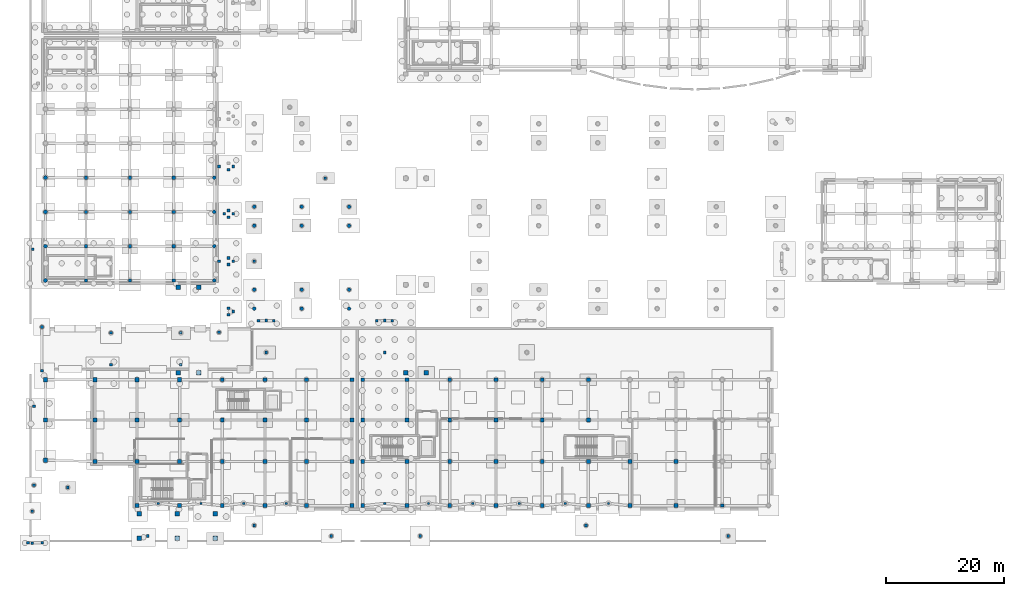
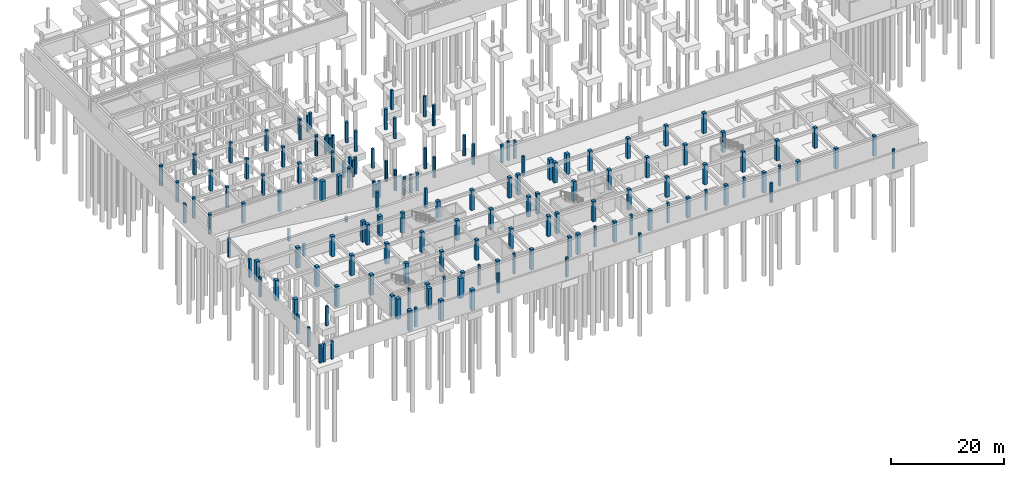
# One storey, part 6 of 22: 158 columns.
"""IFC4 building model written with IfcOpenShell, lengths in metres."""

from ifc_helpers import new_model, si_unit, direction, frame, origin, origin_2d, place, context, subcontext, project, spatial, rectangle, circle, extrude, material, material_profile, profile_set, type_object, element, save


model = new_model("IFC4")

# Units and contexts
model_context = context("Model", 3, precision=1e-05, world=origin(), true_north=direction((0.0, 1.0)))
body_context = subcontext(model_context, "Body", "Model", "MODEL_VIEW")
ifc_project = project(units=[si_unit("LENGTHUNIT", "METRE"), si_unit("AREAUNIT", "SQUARE_METRE"), si_unit("VOLUMEUNIT", "CUBIC_METRE"), si_unit("PLANEANGLEUNIT", "RADIAN"), si_unit("MASSUNIT", "GRAM", prefix="KILO")], contexts=[model_context])

# Site, building, storey
site_placement = place(None, origin())
site = spatial("IfcSite", under=ifc_project, at=site_placement, CompositionType="ELEMENT")
building_placement = place(site_placement, origin())
building = spatial("IfcBuilding", under=site, at=building_placement, Name="Valcora Specialist Clinic", CompositionType="ELEMENT")
storey_placement = place(building_placement, frame((0.0, 0.0, -4.419921875)))
storey = spatial("IfcBuildingStorey", under=building, at=storey_placement, Name="B1", CompositionType="ELEMENT", Elevation=-4.419921875)

# Columns
ifc_material = material(Name="Concrete C40/50", Category="concrete")
ifc_material_profile_1 = material_profile(ifc_material, rectangle(XDim=0.75, YDim=0.75, at=origin_2d()), Name="RC-PED-750X750")
ifc_profile_set_1 = profile_set([ifc_material_profile_1], Name="Concrete C40/50")
column_type_1 = type_object("IfcColumnType", Name="TY-COL-PED750", PredefinedType="COLUMN", material=ifc_profile_set_1)
for number, where, z_axis, x_axis, name in (
    (1, (0.75, 8.39990234375, 0.0), (0.0, 0.0, 1.0), (1.0, 0.0, 0.0), "Column COL-B1-0536"),
    (2, (0.75, 15.199951171875, 0.0), (0.0, 0.0, 1.0), (1.0, 0.0, 0.0), "Column COL-B1-0543"),
    (3, (0.75, 22.0, 0.0), (0.0, 0.0, 1.0), (1.0, 0.0, 0.0), "Column COL-B1-0550"),
    (4, (23.199951171875, 23.199951171875, 0.0), (0.0, 0.0, 1.0), (1.0, 0.0, 0.0), "Column COL-B1-0947"),
    (5, (23.199951171875, 37.60009765625, 0.0), (0.0, 0.0, 1.0), (1.0, 0.0, 0.0), "Column COL-B1-0950"),
    (6, (26.60009765625, 23.199951171875, 0.0), (0.0, 0.0, 1.0), (1.0, 0.0, 0.0), "Column COL-B1-0953"),
    (7, (26.60009765625, 37.60009765625, 0.0), (0.0, 0.0, 1.0), (1.0, 0.0, 0.0), "Column COL-B1-0956"),
    (8, (61.60009765625, 23.199951171875, 0.0), (0.0, 0.0, 1.0), (1.0, 0.0, 0.0), "Column COL-B1-0959"),
    (9, (65.0, 23.199951171875, 0.0), (0.0, 0.0, 1.0), (1.0, 0.0, 0.0), "Column COL-B1-0983"),
    (10, (16.60009765625, -4.800048828125, 0.0), (0.0, 0.0, 1.0), (1.0, 0.0, 0.0), "Column COL-B1-1007"),
    (11, (16.60009765625, -0.60009765625, 0.0), (0.0, 0.0, 1.0), (1.0, 0.0, 0.0), "Column COL-B1-1009"),
    (12, (23.0, -4.800048828125, 0.0), (0.0, 0.0, 1.0), (1.0, 0.0, 0.0), "Column COL-B1-1011"),
    (13, (23.0, -0.60009765625, 0.0), (0.0, 0.0, 1.0), (1.0, 0.0, 0.0), "Column COL-B1-1013"),
    (14, (29.39990234375, -4.800048828125, 0.0), (0.0, 0.0, 1.0), (1.0, 0.0, 0.0), "Column COL-B1-1015"),
    (15, (29.39990234375, -0.60009765625, 0.0), (0.0, 0.0, 1.0), (1.0, 0.0, 0.0), "Column COL-B1-1017"),
):
    element("IfcColumn", number, at=place(storey_placement, frame(where, z_axis=z_axis, x_axis=x_axis)), inside=storey, type_object=column_type_1, Name=name, PredefinedType="COLUMN", context=body_context, shape_type="SweptSolid", body=[
        extrude(rectangle(XDim=0.75, YDim=0.75, at=origin_2d()), origin(), (0.0, 0.0, 1.0), 4.419921875),
    ])
ifc_material_profile_2 = material_profile(ifc_material, rectangle(XDim=0.449951171875, YDim=0.449951171875, at=origin_2d()), Name="RC-COL-450X450")
ifc_profile_set_2 = profile_set([ifc_material_profile_2], Name="Concrete C40/50")
column_type_2 = type_object("IfcColumnType", Name="TY-COL-RC450", PredefinedType="COLUMN", material=ifc_profile_set_2)
column_1_placement = place(storey_placement, frame((-1.5, -5.60009765625, 0.0), z_axis=(0.0, 0.0, 1.0), x_axis=(1.0, 0.0, 0.0)))
element("IfcColumn", 16, at=column_1_placement, inside=storey, type_object=column_type_2, Name="Column COL-B1-1023", PredefinedType="COLUMN", context=body_context, shape_type="SweptSolid", body=[
    extrude(rectangle(XDim=0.449951171875, YDim=0.449951171875, at=origin_2d()), origin(), (0.0, 0.0, 1.0), 3.89990234375),
])
column_2_placement = place(storey_placement, frame((-1.5, -0.199951171875, 0.0), z_axis=(0.0, 0.0, 1.0), x_axis=(1.0, 0.0, 0.0)))
element("IfcColumn", 17, at=column_2_placement, inside=storey, type_object=column_type_2, Name="Column COL-B1-1024", PredefinedType="COLUMN", context=body_context, shape_type="SweptSolid", body=[
    extrude(rectangle(XDim=0.449951171875, YDim=0.449951171875, at=origin_2d()), origin(), (0.0, 0.0, 1.0), 4.199951171875),
])
column_3_placement = place(storey_placement, frame((38.0, 32.0, 0.0), z_axis=(0.0, 0.0, 1.0), x_axis=(1.0, 0.0, 0.0)))
element("IfcColumn", 18, at=column_3_placement, inside=storey, type_object=column_type_2, Name="Column COL-B1-1025", PredefinedType="COLUMN", context=body_context, shape_type="SweptSolid", body=[
    extrude(rectangle(XDim=0.449951171875, YDim=0.449951171875, at=origin_2d()), origin(), (0.0, 0.0, 1.0), 3.89990234375),
])
for number, where, z_axis, x_axis, name in (
    (19, (38.0, 26.60009765625, 0.0), (0.0, 0.0, 1.0), (1.0, 0.0, 0.0), "Column COL-B1-1026"),
    (20, (58.0, 32.0, 0.0), (0.0, 0.0, 1.0), (1.0, 0.0, 0.0), "Column COL-B1-1027"),
    (21, (58.0, 26.60009765625, 0.0), (0.0, 0.0, 1.0), (1.0, 0.0, 0.0), "Column COL-B1-1028"),
    (22, (30.050048828125, 30.0, 0.0), (0.0, 0.0, 1.0), (1.0, 0.0, 0.0), "Column COL-B1-1033"),
):
    element("IfcColumn", number, at=place(storey_placement, frame(where, z_axis=z_axis, x_axis=x_axis)), inside=storey, type_object=column_type_2, Name=name, PredefinedType="COLUMN", context=body_context, shape_type="SweptSolid", body=[
        extrude(rectangle(XDim=0.449951171875, YDim=0.449951171875, at=origin_2d()), origin(), (0.0, 0.0, 1.0), 4.199951171875),
    ])
for number, where, z_axis, x_axis, name in (
    (23, (30.050048828125, 42.0, 0.0), (0.0, 0.0, 1.0), (1.0, 0.0, 0.0), "Column COL-B1-1034"),
    (24, (30.949951171875, 50.0, 0.0), (0.0, 0.0, 1.0), (1.0, 0.0, 0.0), "Column COL-B1-1035"),
    (25, (30.050048828125, 58.0, 0.0), (0.0, 0.0, 1.0), (1.0, 0.0, 0.0), "Column COL-B1-1036"),
):
    element("IfcColumn", number, at=place(storey_placement, frame(where, z_axis=z_axis, x_axis=x_axis)), inside=storey, type_object=column_type_2, Name=name, PredefinedType="COLUMN", context=body_context, shape_type="SweptSolid", body=[
        extrude(rectangle(XDim=0.449951171875, YDim=0.449951171875, at=origin_2d()), origin(), (0.0, 0.0, 1.0), 3.52001953125),
    ])
for number, where, z_axis, x_axis, name in (
    (26, (18.0, -4.39990234375, 0.0), (0.0, 0.0, 1.0), (1.0, 0.0, 0.0), "Foundation support pier COL-APR-B1-001"),
    (27, (36.0, -2.60009765625, 0.0), (0.0, 0.0, 1.0), (1.0, 0.0, 0.0), "Foundation support pier COL-APR-B1-002"),
    (28, (49.0, -4.39990234375, 0.0), (0.0, 0.0, 1.0), (1.0, 0.0, 0.0), "Foundation support pier COL-APR-B1-003"),
    (29, (64.0, -4.39990234375, 0.0), (0.0, 0.0, 1.0), (1.0, 0.0, 0.0), "Foundation support pier COL-APR-B1-004"),
    (30, (92.0, -2.60009765625, 0.0), (0.0, 0.0, 1.0), (1.0, 0.0, 0.0), "Foundation support pier COL-APR-B1-005"),
    (31, (116.0, -4.39990234375, 0.0), (0.0, 0.0, 1.0), (1.0, 0.0, 0.0), "Foundation support pier COL-APR-B1-006"),
    (32, (-1.199951171875, 4.199951171875, 0.0), (0.0, 0.0, 1.0), (1.0, 0.0, 0.0), "Foundation support pier COL-APR-B1-007"),
    (33, (4.5, 3.800048828125, 0.0), (0.0, 0.0, 1.0), (1.0, 0.0, 0.0), "Foundation support pier COL-APR-B1-008"),
    (34, (-1.199951171875, 17.5, 0.0), (0.0, 0.0, 1.0), (1.0, 0.0, 0.0), "Foundation support pier COL-APR-B1-009"),
    (35, (-1.39990234375, 44.0, 0.0), (0.0, 0.0, 1.0), (1.0, 0.0, 0.0), "Foundation support pier COL-APR-B1-010"),
    (36, (36.0, 42.0, 0.0), (0.0, 0.0, 1.0), (1.0, 0.0, 0.0), "Foundation support pier COL-APR-B1-016"),
    (37, (48.0, 56.0, 0.0), (0.0, 0.0, 1.0), (1.0, 0.0, 0.0), "Foundation support pier COL-APR-B1-017"),
):
    element("IfcColumn", number, at=place(storey_placement, frame(where, z_axis=z_axis, x_axis=x_axis)), inside=storey, type_object=column_type_2, Name=name, PredefinedType="COLUMN", context=body_context, shape_type="SweptSolid", body=[
        extrude(rectangle(XDim=0.449951171875, YDim=0.449951171875, at=origin_2d()), origin(), (0.0, 0.0, 1.0), 4.199951171875),
    ])
for number, where, z_axis, x_axis, name in (
    (38, (11.800048828125, 24.5, 0.0), (0.0, 0.0, 1.0), (1.0, 0.0, 0.0), "Foundation support pier COL-APR-B1-023"),
    (39, (11.800048828125, 29.89990234375, 0.0), (0.0, 0.0, 1.0), (1.0, 0.0, 0.0), "Foundation support pier COL-APR-B1-024"),
):
    element("IfcColumn", number, at=place(storey_placement, frame(where, z_axis=z_axis, x_axis=x_axis)), inside=storey, type_object=column_type_2, Name=name, PredefinedType="COLUMN", context=body_context, shape_type="SweptSolid", body=[
        extrude(rectangle(XDim=0.449951171875, YDim=0.449951171875, at=origin_2d()), origin(), (0.0, 0.0, 1.0), 2.625),
    ])
for number, where, z_axis, x_axis, name in (
    (40, (23.60009765625, 24.5, 0.0), (0.0, 0.0, 1.0), (1.0, 0.0, 0.0), "Foundation support pier COL-APR-B1-025"),
    (41, (23.60009765625, 29.89990234375, 0.0), (0.0, 0.0, 1.0), (1.0, 0.0, 0.0), "Foundation support pier COL-APR-B1-026"),
):
    element("IfcColumn", number, at=place(storey_placement, frame(where, z_axis=z_axis, x_axis=x_axis)), inside=storey, type_object=column_type_2, Name=name, PredefinedType="COLUMN", context=body_context, shape_type="SweptSolid", body=[
        extrude(rectangle(XDim=0.449951171875, YDim=0.449951171875, at=origin_2d()), origin(), (0.0, 0.0, 1.0), 1.14990234375),
    ])
for number, where, z_axis, x_axis, name in (
    (42, (0.14990234375, 23.5, 0.0), (0.0, 0.0, 1.0), (1.0, 0.0, 0.0), "Foundation support pier COL-APR-B1-027"),
    (43, (0.14990234375, 30.89990234375, 0.0), (0.0, 0.0, 1.0), (1.0, 0.0, 0.0), "Foundation support pier COL-APR-B1-028"),
):
    element("IfcColumn", number, at=place(storey_placement, frame(where, z_axis=z_axis, x_axis=x_axis)), inside=storey, type_object=column_type_2, Name=name, PredefinedType="COLUMN", context=body_context, shape_type="SweptSolid", body=[
        extrude(rectangle(XDim=0.449951171875, YDim=0.449951171875, at=origin_2d()), origin(), (0.0, 0.0, 1.0), 4.099853515625),
    ])
for number, where, z_axis, x_axis, name in (
    (44, (-2.199951171875, -5.550048828125, 0.0), (0.0, 0.0, 1.0), (1.0, 0.0, 0.0), "Foundation support pier COL-APR-B1-029"),
    (45, (0.199951171875, -5.550048828125, 0.0), (0.0, 0.0, 1.0), (1.0, 0.0, 0.0), "Foundation support pier COL-APR-B1-030"),
    (46, (36.699951171875, 31.949951171875, 0.0), (0.0, 0.0, 1.0), (1.0, 0.0, 0.0), "Foundation support pier COL-APR-B1-031"),
    (47, (39.300048828125, 31.949951171875, 0.0), (0.0, 0.0, 1.0), (1.0, 0.0, 0.0), "Foundation support pier COL-APR-B1-032"),
    (48, (56.699951171875, 31.949951171875, 0.0), (0.0, 0.0, 1.0), (1.0, 0.0, 0.0), "Foundation support pier COL-APR-B1-033"),
    (49, (59.300048828125, 31.949951171875, 0.0), (0.0, 0.0, 1.0), (1.0, 0.0, 0.0), "Foundation support pier COL-APR-B1-034"),
):
    element("IfcColumn", number, at=place(storey_placement, frame(where, z_axis=z_axis, x_axis=x_axis)), inside=storey, type_object=column_type_2, Name=name, PredefinedType="COLUMN", context=body_context, shape_type="SweptSolid", body=[
        extrude(rectangle(XDim=0.449951171875, YDim=0.449951171875, at=origin_2d()), origin(), (0.0, 0.0, 1.0), 3.89990234375),
    ])
for number, where, z_axis, x_axis, name in (
    (50, (31.64990234375, 32.949951171875, 0.0), (0.0, 0.0, 1.0), (1.0, 0.0, 0.0), "Foundation support pier COL-APR-B1-039"),
    (51, (31.64990234375, 34.050048828125, 0.0), (0.0, 0.0, 1.0), (1.0, 0.0, 0.0), "Foundation support pier COL-APR-B1-040"),
    (52, (32.449951171875, 33.5, 0.0), (0.0, 0.0, 1.0), (1.0, 0.0, 0.0), "Foundation support pier COL-APR-B1-041"),
    (53, (31.64990234375, 41.449951171875, 0.0), (0.0, 0.0, 1.0), (1.0, 0.0, 0.0), "Foundation support pier COL-APR-B1-042"),
    (54, (31.64990234375, 42.550048828125, 0.0), (0.0, 0.0, 1.0), (1.0, 0.0, 0.0), "Foundation support pier COL-APR-B1-043"),
    (55, (32.449951171875, 42.0, 0.0), (0.0, 0.0, 1.0), (1.0, 0.0, 0.0), "Foundation support pier COL-APR-B1-044"),
    (56, (31.64990234375, 49.449951171875, 0.0), (0.0, 0.0, 1.0), (1.0, 0.0, 0.0), "Foundation support pier COL-APR-B1-045"),
    (57, (31.64990234375, 50.550048828125, 0.0), (0.0, 0.0, 1.0), (1.0, 0.0, 0.0), "Foundation support pier COL-APR-B1-046"),
    (58, (32.449951171875, 50.0, 0.0), (0.0, 0.0, 1.0), (1.0, 0.0, 0.0), "Foundation support pier COL-APR-B1-047"),
    (59, (31.64990234375, 57.449951171875, 0.0), (0.0, 0.0, 1.0), (1.0, 0.0, 0.0), "Foundation support pier COL-APR-B1-048"),
    (60, (32.449951171875, 58.0, 0.0), (0.0, 0.0, 1.0), (1.0, 0.0, 0.0), "Foundation support pier COL-APR-B1-050"),
):
    element("IfcColumn", number, at=place(storey_placement, frame(where, z_axis=z_axis, x_axis=x_axis)), inside=storey, type_object=column_type_2, Name=name, PredefinedType="COLUMN", context=body_context, shape_type="SweptSolid", body=[
        extrude(rectangle(XDim=0.449951171875, YDim=0.449951171875, at=origin_2d()), origin(), (0.0, 0.0, 1.0), 3.52001953125),
    ])
ifc_material_profile_3 = material_profile(ifc_material, rectangle(XDim=0.550048828125, YDim=0.550048828125, at=origin_2d()), Name="RC-COL-550X550")
ifc_profile_set_3 = profile_set([ifc_material_profile_3], Name="Concrete C40/50")
column_type_3 = type_object("IfcColumnType", Name="TY-COL-RC550", PredefinedType="COLUMN", material=ifc_profile_set_3)
for number, where, z_axis, x_axis, name in (
    (61, (7.60009765625, 38.75, 0.0), (0.0, 0.0, 1.0), (1.0, 0.0, 0.0), "Column COL-B1-0033"),
    (62, (7.60009765625, 44.535888671875, 0.0), (0.0, 0.0, 1.0), (1.0, 0.0, 0.0), "Column COL-B1-0036"),
    (63, (7.60009765625, 50.321044921875, 0.0), (0.0, 0.0, 1.0), (1.0, 0.0, 0.0), "Column COL-B1-0039"),
    (64, (7.60009765625, 56.10693359375, 0.0), (0.0, 0.0, 1.0), (1.0, 0.0, 0.0), "Column COL-B1-0042"),
    (65, (15.0, 38.75, 0.0), (0.0, 0.0, 1.0), (1.0, 0.0, 0.0), "Column COL-B1-0057"),
    (66, (15.0, 44.535888671875, 0.0), (0.0, 0.0, 1.0), (1.0, 0.0, 0.0), "Column COL-B1-0060"),
    (67, (15.0, 50.321044921875, 0.0), (0.0, 0.0, 1.0), (1.0, 0.0, 0.0), "Column COL-B1-0063"),
    (68, (15.0, 56.10693359375, 0.0), (0.0, 0.0, 1.0), (1.0, 0.0, 0.0), "Column COL-B1-0065"),
    (69, (22.39990234375, 38.75, 0.0), (0.0, 0.0, 1.0), (1.0, 0.0, 0.0), "Column COL-B1-0077"),
    (70, (22.39990234375, 44.535888671875, 0.0), (0.0, 0.0, 1.0), (1.0, 0.0, 0.0), "Column COL-B1-0080"),
    (71, (22.39990234375, 50.321044921875, 0.0), (0.0, 0.0, 1.0), (1.0, 0.0, 0.0), "Column COL-B1-0083"),
    (72, (22.39990234375, 56.10693359375, 0.0), (0.0, 0.0, 1.0), (1.0, 0.0, 0.0), "Column COL-B1-0086"),
    (73, (115.0, 0.75, 0.0), (0.0, 0.0, 1.0), (1.0, 0.0, 0.0), "Column COL-B1-0919"),
):
    element("IfcColumn", number, at=place(storey_placement, frame(where, z_axis=z_axis, x_axis=x_axis)), inside=storey, type_object=column_type_3, Name=name, PredefinedType="COLUMN", context=body_context, shape_type="SweptSolid", body=[
        extrude(rectangle(XDim=0.550048828125, YDim=0.550048828125, at=origin_2d()), origin(), (0.0, 0.0, 1.0), 4.419921875),
    ])
ifc_material_profile_4 = material_profile(ifc_material, rectangle(XDim=0.64990234375, YDim=0.64990234375, at=origin_2d()), Name="RC-COL-650X650")
ifc_profile_set_4 = profile_set([ifc_material_profile_4], Name="Concrete C40/50")
column_type_4 = type_object("IfcColumnType", Name="TY-COL-RC650", PredefinedType="COLUMN", material=ifc_profile_set_4)
for number, where, z_axis, x_axis, name in (
    (74, (30.60009765625, 0.75, 0.0), (0.0, 0.0, 1.0), (1.0, 0.0, 0.0), "Column COL-B1-0634"),
    (75, (30.60009765625, 8.199951171875, 0.0), (0.0, 0.0, 1.0), (1.0, 0.0, 0.0), "Column COL-B1-0641"),
    (76, (30.60009765625, 15.199951171875, 0.0), (0.0, 0.0, 1.0), (1.0, 0.0, 0.0), "Column COL-B1-0648"),
    (77, (30.60009765625, 22.0, 0.0), (0.0, 0.0, 1.0), (1.0, 0.0, 0.0), "Column COL-B1-0655"),
    (78, (37.800048828125, 0.75, 0.0), (0.0, 0.0, 1.0), (1.0, 0.0, 0.0), "Column COL-B1-0662"),
    (79, (37.800048828125, 8.199951171875, 0.0), (0.0, 0.0, 1.0), (1.0, 0.0, 0.0), "Column COL-B1-0669"),
    (80, (37.800048828125, 15.199951171875, 0.0), (0.0, 0.0, 1.0), (1.0, 0.0, 0.0), "Column COL-B1-0676"),
    (81, (37.800048828125, 22.0, 0.0), (0.0, 0.0, 1.0), (1.0, 0.0, 0.0), "Column COL-B1-0683"),
    (82, (44.800048828125, 0.75, 0.0), (0.0, 0.0, 1.0), (1.0, 0.0, 0.0), "Column COL-B1-0690"),
    (83, (44.800048828125, 8.199951171875, 0.0), (0.0, 0.0, 1.0), (1.0, 0.0, 0.0), "Column COL-B1-0697"),
    (84, (44.800048828125, 15.199951171875, 0.0), (0.0, 0.0, 1.0), (1.0, 0.0, 0.0), "Column COL-B1-0704"),
    (85, (44.800048828125, 22.0, 0.0), (0.0, 0.0, 1.0), (1.0, 0.0, 0.0), "Column COL-B1-0711"),
    (86, (52.5, 0.75, 0.0), (0.0, 0.0, 1.0), (1.0, 0.0, 0.0), "Column COL-B1-0718"),
    (87, (52.5, 8.199951171875, 0.0), (0.0, 0.0, 1.0), (1.0, 0.0, 0.0), "Column COL-B1-0723"),
    (88, (52.5, 15.199951171875, 0.0), (0.0, 0.0, 1.0), (1.0, 0.0, 0.0), "Column COL-B1-0728"),
    (89, (52.5, 22.0, 0.0), (0.0, 0.0, 1.0), (1.0, 0.0, 0.0), "Column COL-B1-0733"),
    (90, (54.300048828125, 0.75, 0.0), (0.0, 0.0, 1.0), (1.0, 0.0, 0.0), "Column COL-B1-0738"),
    (91, (54.300048828125, 8.199951171875, 0.0), (0.0, 0.0, 1.0), (1.0, 0.0, 0.0), "Column COL-B1-0743"),
    (92, (54.300048828125, 15.199951171875, 0.0), (0.0, 0.0, 1.0), (1.0, 0.0, 0.0), "Column COL-B1-0749"),
    (93, (54.300048828125, 22.0, 0.0), (0.0, 0.0, 1.0), (1.0, 0.0, 0.0), "Column COL-B1-0755"),
    (94, (61.800048828125, 0.75, 0.0), (0.0, 0.0, 1.0), (1.0, 0.0, 0.0), "Column COL-B1-0761"),
    (95, (61.800048828125, 8.199951171875, 0.0), (0.0, 0.0, 1.0), (1.0, 0.0, 0.0), "Column COL-B1-0766"),
    (96, (61.800048828125, 15.199951171875, 0.0), (0.0, 0.0, 1.0), (1.0, 0.0, 0.0), "Column COL-B1-0772"),
    (97, (61.800048828125, 22.0, 0.0), (0.0, 0.0, 1.0), (1.0, 0.0, 0.0), "Column COL-B1-0778"),
    (98, (69.0, 0.75, 0.0), (0.0, 0.0, 1.0), (1.0, 0.0, 0.0), "Column COL-B1-0784"),
    (99, (69.0, 8.199951171875, 0.0), (0.0, 0.0, 1.0), (1.0, 0.0, 0.0), "Column COL-B1-0789"),
    (100, (69.0, 15.199951171875, 0.0), (0.0, 0.0, 1.0), (1.0, 0.0, 0.0), "Column COL-B1-0795"),
    (101, (69.0, 22.0, 0.0), (0.0, 0.0, 1.0), (1.0, 0.0, 0.0), "Column COL-B1-0801"),
    (102, (76.800048828125, 0.75, 0.0), (0.0, 0.0, 1.0), (1.0, 0.0, 0.0), "Column COL-B1-0807"),
    (103, (76.800048828125, 8.199951171875, 0.0), (0.0, 0.0, 1.0), (1.0, 0.0, 0.0), "Column COL-B1-0812"),
    (104, (76.800048828125, 15.199951171875, 0.0), (0.0, 0.0, 1.0), (1.0, 0.0, 0.0), "Column COL-B1-0818"),
    (105, (76.800048828125, 22.0, 0.0), (0.0, 0.0, 1.0), (1.0, 0.0, 0.0), "Column COL-B1-0824"),
    (106, (84.60009765625, 0.75, 0.0), (0.0, 0.0, 1.0), (1.0, 0.0, 0.0), "Column COL-B1-0830"),
    (107, (84.60009765625, 8.199951171875, 0.0), (0.0, 0.0, 1.0), (1.0, 0.0, 0.0), "Column COL-B1-0835"),
    (108, (84.60009765625, 15.199951171875, 0.0), (0.0, 0.0, 1.0), (1.0, 0.0, 0.0), "Column COL-B1-0841"),
    (109, (84.60009765625, 22.0, 0.0), (0.0, 0.0, 1.0), (1.0, 0.0, 0.0), "Column COL-B1-0847"),
    (110, (92.39990234375, 0.75, 0.0), (0.0, 0.0, 1.0), (1.0, 0.0, 0.0), "Column COL-B1-0853"),
    (111, (92.39990234375, 8.199951171875, 0.0), (0.0, 0.0, 1.0), (1.0, 0.0, 0.0), "Column COL-B1-0858"),
    (112, (92.39990234375, 15.199951171875, 0.0), (0.0, 0.0, 1.0), (1.0, 0.0, 0.0), "Column COL-B1-0864"),
    (113, (92.39990234375, 22.0, 0.0), (0.0, 0.0, 1.0), (1.0, 0.0, 0.0), "Column COL-B1-0870"),
    (114, (99.39990234375, 0.75, 0.0), (0.0, 0.0, 1.0), (1.0, 0.0, 0.0), "Column COL-B1-0876"),
    (115, (99.39990234375, 8.199951171875, 0.0), (0.0, 0.0, 1.0), (1.0, 0.0, 0.0), "Column COL-B1-0881"),
    (116, (107.199951171875, 0.75, 0.0), (0.0, 0.0, 1.0), (1.0, 0.0, 0.0), "Column COL-B1-0899"),
    (117, (107.199951171875, 8.199951171875, 0.0), (0.0, 0.0, 1.0), (1.0, 0.0, 0.0), "Column COL-B1-0904"),
):
    element("IfcColumn", number, at=place(storey_placement, frame(where, z_axis=z_axis, x_axis=x_axis)), inside=storey, type_object=column_type_4, Name=name, PredefinedType="COLUMN", context=body_context, shape_type="SweptSolid", body=[
        extrude(rectangle(XDim=0.64990234375, YDim=0.64990234375, at=origin_2d()), origin(), (0.0, 0.0, 1.0), 4.419921875),
    ])
ifc_material_profile_5 = material_profile(ifc_material, rectangle(XDim=0.699951171875, YDim=0.699951171875, at=origin_2d()), Name="RC-COL-700X700")
ifc_profile_set_5 = profile_set([ifc_material_profile_5], Name="Concrete C40/50")
column_type_5 = type_object("IfcColumnType", Name="TY-COL-RC700", PredefinedType="COLUMN", material=ifc_profile_set_5)
for number, where, z_axis, x_axis, name in (
    (118, (9.10009765625, 8.199951171875, 0.0), (0.0, 0.0, 1.0), (1.0, 0.0, 0.0), "Column COL-B1-0557"),
    (119, (9.10009765625, 15.199951171875, 0.0), (0.0, 0.0, 1.0), (1.0, 0.0, 0.0), "Column COL-B1-0564"),
    (120, (9.10009765625, 22.0, 0.0), (0.0, 0.0, 1.0), (1.0, 0.0, 0.0), "Column COL-B1-0571"),
    (121, (16.199951171875, 0.75, 0.0), (0.0, 0.0, 1.0), (1.0, 0.0, 0.0), "Column COL-B1-0578"),
    (122, (16.199951171875, 8.199951171875, 0.0), (0.0, 0.0, 1.0), (1.0, 0.0, 0.0), "Column COL-B1-0585"),
    (123, (16.199951171875, 15.199951171875, 0.0), (0.0, 0.0, 1.0), (1.0, 0.0, 0.0), "Column COL-B1-0592"),
    (124, (16.199951171875, 22.0, 0.0), (0.0, 0.0, 1.0), (1.0, 0.0, 0.0), "Column COL-B1-0599"),
    (125, (23.39990234375, 0.75, 0.0), (0.0, 0.0, 1.0), (1.0, 0.0, 0.0), "Column COL-B1-0606"),
    (126, (23.39990234375, 8.199951171875, 0.0), (0.0, 0.0, 1.0), (1.0, 0.0, 0.0), "Column COL-B1-0613"),
    (127, (23.39990234375, 15.199951171875, 0.0), (0.0, 0.0, 1.0), (1.0, 0.0, 0.0), "Column COL-B1-0620"),
    (128, (23.39990234375, 22.0, 0.0), (0.0, 0.0, 1.0), (1.0, 0.0, 0.0), "Column COL-B1-0627"),
):
    element("IfcColumn", number, at=place(storey_placement, frame(where, z_axis=z_axis, x_axis=x_axis)), inside=storey, type_object=column_type_5, Name=name, PredefinedType="COLUMN", context=body_context, shape_type="SweptSolid", body=[
        extrude(rectangle(XDim=0.699951171875, YDim=0.699951171875, at=origin_2d()), origin(), (0.0, 0.0, 1.0), 4.419921875),
    ])
ifc_material_profile_6 = material_profile(ifc_material, circle(Radius=0.300048828125, at=origin_2d()), Name="RC-COL-D600")
ifc_profile_set_6 = profile_set([ifc_material_profile_6], Name="Concrete C40/50")
column_type_6 = type_object("IfcColumnType", Name="TY-COL-RCD600", PredefinedType="COLUMN", material=ifc_profile_set_6)
for number, where, z_axis, x_axis, name in (
    (129, (29.25, 38.75, 0.0), (0.0, 0.0, 1.0), (1.0, 0.0, 0.0), "Column COL-B1-0101"),
    (130, (29.25, 44.535888671875, 0.0), (0.0, 0.0, 1.0), (1.0, 0.0, 0.0), "Column COL-B1-0105"),
    (131, (29.25, 50.321044921875, 0.0), (0.0, 0.0, 1.0), (1.0, 0.0, 0.0), "Column COL-B1-0109"),
    (132, (29.25, 56.10693359375, 0.0), (0.0, 0.0, 1.0), (1.0, 0.0, 0.0), "Column COL-B1-0113"),
    (133, (36.0, 34.0, 0.0), (0.0, 0.0, 1.0), (1.0, 0.0, 0.0), "Column COL-B1-1078"),
    (134, (36.0, 37.199951171875, 0.0), (0.0, 0.0, 1.0), (1.0, 0.0, 0.0), "Column COL-B1-1080"),
    (135, (36.0, 48.0, 0.0), (0.0, 0.0, 1.0), (1.0, 0.0, 0.0), "Column COL-B1-1082"),
    (136, (36.0, 51.199951171875, 0.0), (0.0, 0.0, 1.0), (1.0, 0.0, 0.0), "Column COL-B1-1084"),
    (137, (44.0, 34.0, 0.0), (0.0, 0.0, 1.0), (1.0, 0.0, 0.0), "Column COL-B1-1090"),
    (138, (44.0, 37.199951171875, 0.0), (0.0, 0.0, 1.0), (1.0, 0.0, 0.0), "Column COL-B1-1092"),
    (139, (44.0, 48.0, 0.0), (0.0, 0.0, 1.0), (1.0, 0.0, 0.0), "Column COL-B1-1094"),
    (140, (44.0, 51.199951171875, 0.0), (0.0, 0.0, 1.0), (1.0, 0.0, 0.0), "Column COL-B1-1096"),
    (141, (52.0, 34.0, 0.0), (0.0, 0.0, 1.0), (1.0, 0.0, 0.0), "Column COL-B1-1102"),
    (142, (52.0, 37.199951171875, 0.0), (0.0, 0.0, 1.0), (1.0, 0.0, 0.0), "Column COL-B1-1104"),
    (143, (52.0, 48.0, 0.0), (0.0, 0.0, 1.0), (1.0, 0.0, 0.0), "Column COL-B1-1106"),
    (144, (52.0, 51.199951171875, 0.0), (0.0, 0.0, 1.0), (1.0, 0.0, 0.0), "Column COL-B1-1108"),
):
    element("IfcColumn", number, at=place(storey_placement, frame(where, z_axis=z_axis, x_axis=x_axis)), inside=storey, type_object=column_type_6, Name=name, PredefinedType="COLUMN", context=body_context, shape_type="SweptSolid", body=[
        extrude(circle(Radius=0.300048828125, at=origin_2d()), origin(), (0.0, 0.0, 1.0), 4.419921875),
    ])
ifc_material_profile_7 = material_profile(ifc_material, circle(Radius=0.324951171875, at=origin_2d()), Name="RC-COL-D650")
ifc_profile_set_7 = profile_set([ifc_material_profile_7], Name="Concrete C40/50")
column_type_7 = type_object("IfcColumnType", Name="TY-COL-RCD650", PredefinedType="COLUMN", material=ifc_profile_set_7)
for number, where, z_axis, x_axis, name in (
    (145, (0.75, 38.75, 0.0), (0.0, 0.0, 1.0), (1.0, 0.0, 0.0), "Column COL-B1-0001"),
    (146, (0.75, 44.535888671875, 0.0), (0.0, 0.0, 1.0), (1.0, 0.0, 0.0), "Column COL-B1-0005"),
    (147, (0.75, 50.321044921875, 0.0), (0.0, 0.0, 1.0), (1.0, 0.0, 0.0), "Column COL-B1-0009"),
    (148, (0.75, 56.10693359375, 0.0), (0.0, 0.0, 1.0), (1.0, 0.0, 0.0), "Column COL-B1-0013"),
):
    element("IfcColumn", number, at=place(storey_placement, frame(where, z_axis=z_axis, x_axis=x_axis)), inside=storey, type_object=column_type_7, Name=name, PredefinedType="COLUMN", context=body_context, shape_type="SweptSolid", body=[
        extrude(circle(Radius=0.324951171875, at=origin_2d()), origin(), (0.0, 0.0, 1.0), 4.419921875),
    ])
ifc_material_profile_8 = material_profile(ifc_material, rectangle(XDim=0.39990234375, YDim=0.39990234375, at=origin_2d()), Name="RC-COL-400X400")
ifc_profile_set_8 = profile_set([ifc_material_profile_8], Name="Concrete C40/50")
column_type_8 = type_object("IfcColumnType", Name="TY-PIL-RC400", PredefinedType="PILASTER", material=ifc_profile_set_8)
for number, where, z_axis, x_axis, name in (
    (149, (19.800048828125, 1.10009765625, 0.0), (0.0, 0.0, 1.0), (1.0, 0.0, 0.0), "Column COL-B1-1038"),
    (150, (27.0, 1.10009765625, 0.0), (0.0, 0.0, 1.0), (1.0, 0.0, 0.0), "Column COL-B1-1042"),
    (151, (34.199951171875, 1.10009765625, 0.0), (0.0, 0.0, 1.0), (1.0, 0.0, 0.0), "Column COL-B1-1046"),
    (152, (41.39990234375, 1.10009765625, 0.0), (0.0, 0.0, 1.0), (1.0, 0.0, 0.0), "Column COL-B1-1050"),
    (153, (58.0, 1.10009765625, 0.0), (0.0, 0.0, 1.0), (1.0, 0.0, 0.0), "Column COL-B1-1054"),
    (154, (65.39990234375, 1.10009765625, 0.0), (0.0, 0.0, 1.0), (1.0, 0.0, 0.0), "Column COL-B1-1058"),
    (155, (72.89990234375, 1.10009765625, 0.0), (0.0, 0.0, 1.0), (1.0, 0.0, 0.0), "Column COL-B1-1062"),
    (156, (80.699951171875, 1.10009765625, 0.0), (0.0, 0.0, 1.0), (1.0, 0.0, 0.0), "Column COL-B1-1066"),
    (157, (88.5, 1.10009765625, 0.0), (0.0, 0.0, 1.0), (1.0, 0.0, 0.0), "Column COL-B1-1070"),
    (158, (95.800048828125, 1.10009765625, 0.0), (0.0, 0.0, 1.0), (1.0, 0.0, 0.0), "Column COL-B1-1074"),
):
    element("IfcColumn", number, at=place(storey_placement, frame(where, z_axis=z_axis, x_axis=x_axis)), inside=storey, type_object=column_type_8, Name=name, PredefinedType="PILASTER", context=body_context, shape_type="SweptSolid", body=[
        extrude(rectangle(XDim=0.39990234375, YDim=0.39990234375, at=origin_2d()), origin(), (0.0, 0.0, 1.0), 4.419921875),
    ])

save(model, "model.ifc")
